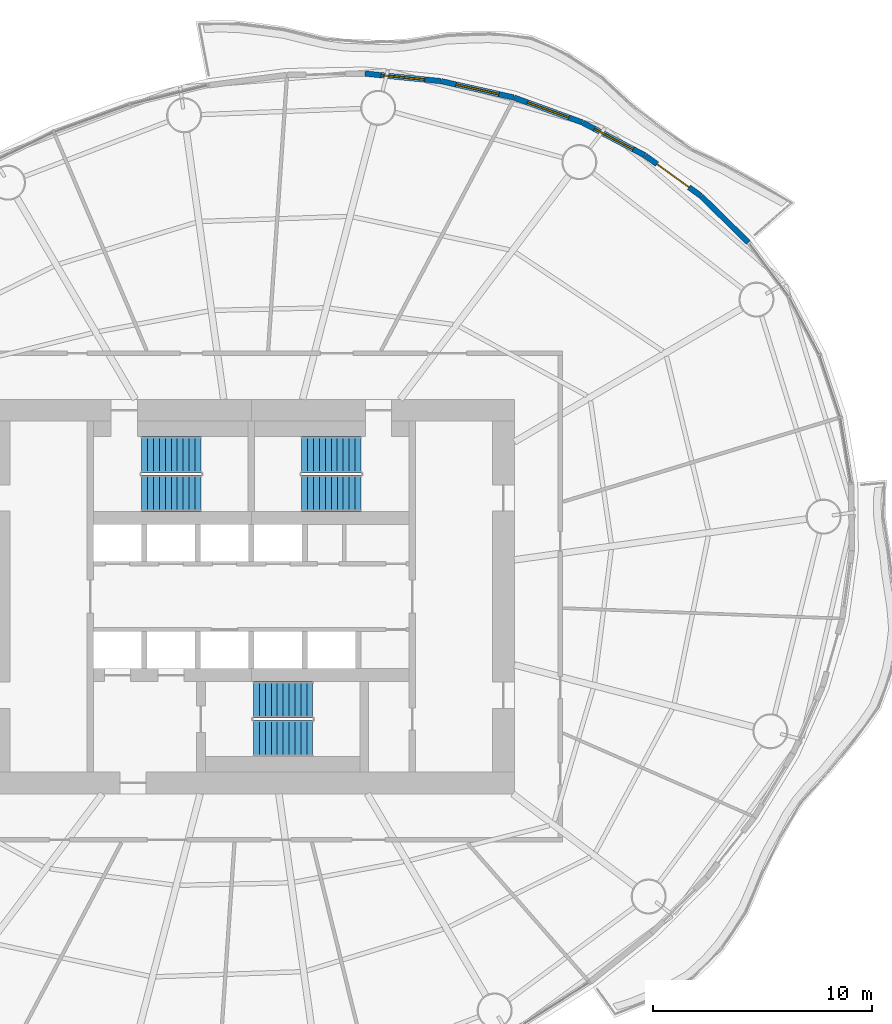
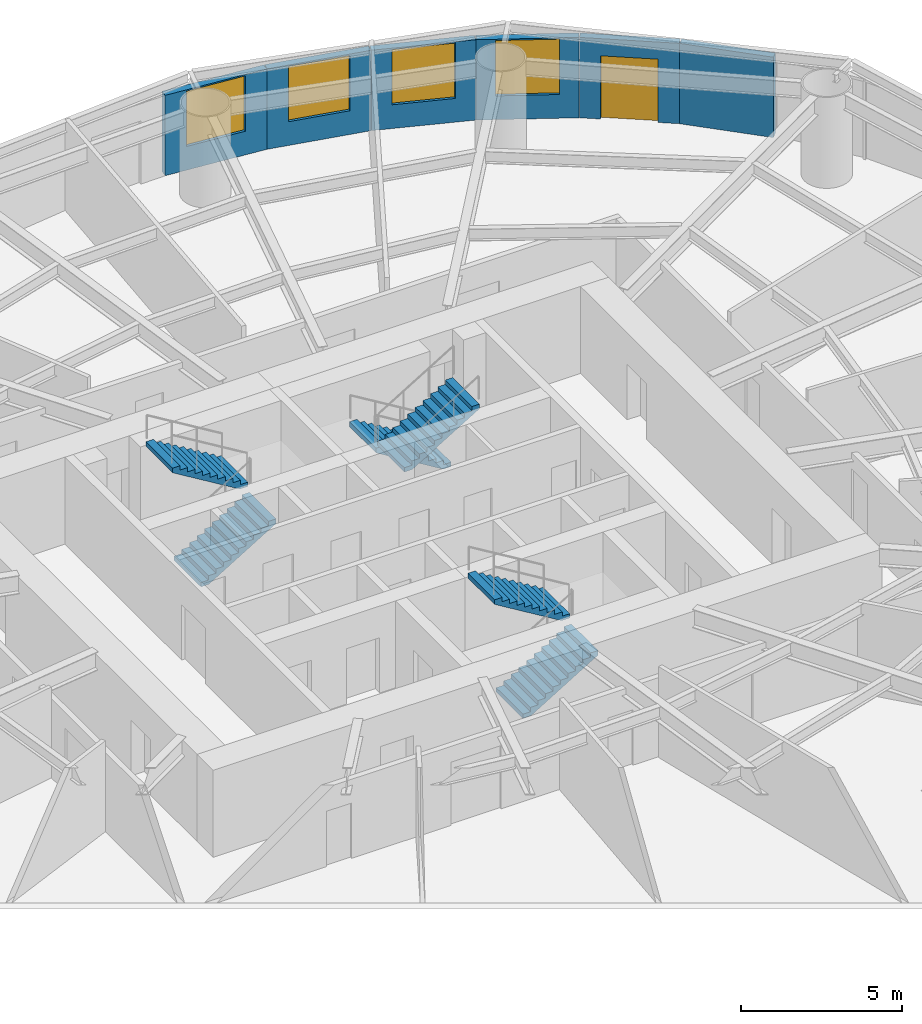
# One storey, part 11 of 14: 6 stair flights, 6 walls, 4 windows, 1 door, 5 openings, 3 elements without a shape of their own.
"""IFC4 building model written with IfcOpenShell, lengths in metres."""

from ifc_helpers import new_model, si_unit, direction, frame, frame_2d, origin, place, context, subcontext, project, spatial, polyline, rectangle, outline, extrude, material, layer, layer_set, type_object, element, fill, aggregate, save


model = new_model("IFC4")

# Units and contexts
model_context = context("Model", 3, precision=1e-05, world=origin(), true_north=direction((0.0, 1.0)))
body_context = subcontext(model_context, "Body", "Model", "MODEL_VIEW")
ifc_project = project(units=[si_unit("LENGTHUNIT", "METRE"), si_unit("AREAUNIT", "SQUARE_METRE"), si_unit("VOLUMEUNIT", "CUBIC_METRE"), si_unit("PLANEANGLEUNIT", "RADIAN"), si_unit("MASSUNIT", "GRAM", prefix="KILO")], contexts=[model_context])

# Site, building, storey
site_placement = place(None, origin())
site = spatial("IfcSite", under=ifc_project, at=site_placement, CompositionType="ELEMENT")
building_placement = place(site_placement, origin())
building = spatial("IfcBuilding", under=site, at=building_placement, Name="Vermilion Reach Broadcast Tower", CompositionType="ELEMENT")
storey_placement = place(building_placement, frame((0.0, 0.0, 124.60009765625)))
storey = spatial("IfcBuildingStorey", under=building, at=storey_placement, Name="L29", CompositionType="ELEMENT", Elevation=124.60009765625)

# Wall
ifc_material_1 = material(Name="Terracotta rainscreen cladding", Category="masonry")
ifc_layer = layer(ifc_material_1, 0.25)
ifc_layer_set = layer_set([ifc_layer], Name="Terracotta rainscreen wall 250")
wall_type = type_object("IfcWallType", Name="Terracotta rainscreen wall 250", PredefinedType="SOLIDWALL", material=ifc_layer_set)
wall_1_placement = place(storey_placement, frame((16.6708984375, 16.1552734375, 0.0), z_axis=(0.0, 0.0, 1.0), x_axis=(-0.713759845589, 0.700390521656, 0.0)))
element("IfcWall", 1, at=wall_1_placement, inside=storey, type_object=wall_type, Name="External wall L29 02", PredefinedType="SOLIDWALL", context=body_context, shape_type="SweptSolid", body=[
    extrude(rectangle(XDim=3.01318359375, YDim=0.25, at=frame_2d((1.506591796875, 0.0))), origin(), (0.0, 0.0, 1.0), 3.0498046875),
])

# Wall, opening, door
wall_2_placement = place(storey_placement, frame((14.5, 18.28271484375, 0.0), z_axis=(0.0, 0.0, 1.0), x_axis=(-0.809860169176, 0.586622967828, 0.0)))
wall_2 = element("IfcWall", 2, at=wall_2_placement, inside=storey, type_object=wall_type, Name="External wall L29 03", PredefinedType="SOLIDWALL", context=body_context, shape_type="SweptSolid", body=[
    extrude(rectangle(XDim=3.12353515625, YDim=0.25, at=frame_2d((1.561767578125, 0.0))), origin(), (0.0, 0.0, 1.0), 3.0498046875),
])
opening_1_placement = place(wall_2_placement, frame((0.662109375, 0.0, 0.0)))
opening_1 = element("IfcOpeningElement", 3, at=opening_1_placement, cuts=wall_2, Name="Opening D70", PredefinedType="OPENING", context=body_context, shape_type="SweptSolid", body=[
    extrude(rectangle(XDim=1.800048828125, YDim=2.39990234375, at=frame_2d((0.89990234375, 1.199951171875))), frame((0.0, 0.135009765625, 0.0), z_axis=(0.0, -1.0, 0.0), x_axis=(1.0, 0.0, 0.0)), (0.0, 0.0, 1.0), 0.27001953125),
])
ifc_material_2 = material(Name="Low-e laminated clear glass in aluminium frame", Category="aluminium")
door_type = type_object("IfcDoorType", Name="Balcony sliding door 1800 x 2400", OperationType="DOUBLE_DOOR_SLIDING", PredefinedType="DOOR", material=ifc_material_2)
door_placement = place(opening_1_placement, origin())
door = element("IfcDoor", 4, at=door_placement, inside=storey, type_object=door_type, Name="Balcony door L29 run 01", OperationType="DOUBLE_DOOR_SLIDING", OverallHeight=2.39990234375, OverallWidth=1.800048828125, PredefinedType="DOOR", context=body_context, shape_type="SweptSolid", body=[
    extrude(rectangle(XDim=1.800048828125, YDim=2.39990234375, at=frame_2d((0.89990234375, 1.199951171875))), frame((0.0, 0.02490234375, 0.0), z_axis=(0.0, -1.0, 0.0), x_axis=(1.0, 0.0, 0.0)), (0.0, 0.0, 1.0), 0.050048828125),
])
fill(opening_1, door)

# Wall, opening, window
wall_3_placement = place(storey_placement, frame((11.948486328125, 20.128662109375, 0.0), z_axis=(0.0, 0.0, 1.0), x_axis=(-0.884863700739, 0.465850009245, 0.0)))
wall_3 = element("IfcWall", 5, at=wall_3_placement, inside=storey, type_object=wall_type, Name="External wall L29 04", PredefinedType="SOLIDWALL", context=body_context, shape_type="SweptSolid", body=[
    extrude(rectangle(XDim=3.205810546875, YDim=0.25, at=frame_2d((1.60302734375, 0.0))), origin(), (0.0, 0.0, 1.0), 3.0498046875),
])
opening_2_placement = place(wall_3_placement, frame((0.60302734375, 0.0, 0.89990234375)))
opening_2 = element("IfcOpeningElement", 6, at=opening_2_placement, cuts=wall_3, Name="Opening W03", PredefinedType="OPENING", context=body_context, shape_type="SweptSolid", body=[
    extrude(rectangle(XDim=2.0, YDim=2.10009765625, at=frame_2d((1.0, 1.050048828125))), frame((0.0, 0.135009765625, 0.0), z_axis=(0.0, -1.0, 0.0), x_axis=(1.0, 0.0, 0.0)), (0.0, 0.0, 1.0), 0.27001953125),
])
ifc_material_3 = material(Name="Low-e laminated clear glass in aluminium frame", Category="aluminium")
window_type = type_object("IfcWindowType", Name="Punched window 2000 x 2100 sill 900", PartitioningType="SINGLE_PANEL", PredefinedType="WINDOW", material=ifc_material_3)
window_1_placement = place(opening_2_placement, origin())
window_1 = element("IfcWindow", 7, at=window_1_placement, inside=storey, type_object=window_type, Name="Window L29 04", OverallHeight=2.10009765625, OverallWidth=2.0, PartitioningType="SINGLE_PANEL", PredefinedType="WINDOW", context=body_context, shape_type="SweptSolid", body=[
    extrude(rectangle(XDim=2.0, YDim=2.10009765625, at=frame_2d((1.0, 1.050048828125))), frame((0.0, 0.030029296875, 0.0), z_axis=(0.0, -1.0, 0.0), x_axis=(1.0, 0.0, 0.0)), (0.0, 0.0, 1.0), 0.06005859375),
])
fill(opening_2, window_1)

wall_4_placement = place(storey_placement, frame((9.089111328125, 21.632080078125, 0.0), z_axis=(0.0, 0.0, 1.0), x_axis=(-0.939579104827, 0.342331864969, 0.0)))
wall_4 = element("IfcWall", 8, at=wall_4_placement, inside=storey, type_object=wall_type, Name="External wall L29 05", PredefinedType="SOLIDWALL", context=body_context, shape_type="SweptSolid", body=[
    extrude(rectangle(XDim=3.295654296875, YDim=0.25, at=frame_2d((1.64794921875, 0.0))), origin(), (0.0, 0.0, 1.0), 3.0498046875),
])
opening_3_placement = place(wall_4_placement, frame((0.647705078125, 0.0, 0.89990234375)))
opening_3 = element("IfcOpeningElement", 9, at=opening_3_placement, cuts=wall_4, Name="Opening W03", PredefinedType="OPENING", context=body_context, shape_type="SweptSolid", body=[
    extrude(rectangle(XDim=2.0, YDim=2.10009765625, at=frame_2d((1.0, 1.050048828125))), frame((0.0, 0.135009765625, 0.0), z_axis=(0.0, -1.0, 0.0), x_axis=(1.0, 0.0, 0.0)), (0.0, 0.0, 1.0), 0.27001953125),
])
window_2_placement = place(opening_3_placement, origin())
window_2 = element("IfcWindow", 10, at=window_2_placement, inside=storey, type_object=window_type, Name="Window L29 05", OverallHeight=2.10009765625, OverallWidth=2.0, PartitioningType="SINGLE_PANEL", PredefinedType="WINDOW", context=body_context, shape_type="SweptSolid", body=[
    extrude(rectangle(XDim=2.0, YDim=2.10009765625, at=frame_2d((1.0, 1.050048828125))), frame((0.0, 0.030029296875, 0.0), z_axis=(0.0, -1.0, 0.0), x_axis=(1.0, 0.0, 0.0)), (0.0, 0.0, 1.0), 0.06005859375),
])
fill(opening_3, window_2)

wall_5_placement = place(storey_placement, frame((5.969482421875, 22.76708984375, 0.0), z_axis=(0.0, 0.0, 1.0), x_axis=(-0.975690768568, 0.219151828949, 0.0)))
wall_5 = element("IfcWall", 11, at=wall_5_placement, inside=storey, type_object=wall_type, Name="External wall L29 06", PredefinedType="SOLIDWALL", context=body_context, shape_type="SweptSolid", body=[
    extrude(rectangle(XDim=3.385498046875, YDim=0.25, at=frame_2d((1.69287109375, 0.0))), origin(), (0.0, 0.0, 1.0), 3.0498046875),
])
opening_4_placement = place(wall_5_placement, frame((0.69287109375, 0.0, 0.89990234375)))
opening_4 = element("IfcOpeningElement", 12, at=opening_4_placement, cuts=wall_5, Name="Opening W03", PredefinedType="OPENING", context=body_context, shape_type="SweptSolid", body=[
    extrude(rectangle(XDim=2.0, YDim=2.10009765625, at=frame_2d((1.0, 1.050048828125))), frame((0.0, 0.135009765625, 0.0), z_axis=(0.0, -1.0, 0.0), x_axis=(1.0, 0.0, 0.0)), (0.0, 0.0, 1.0), 0.27001953125),
])
window_3_placement = place(opening_4_placement, origin())
window_3 = element("IfcWindow", 13, at=window_3_placement, inside=storey, type_object=window_type, Name="Window L29 06", OverallHeight=2.10009765625, OverallWidth=2.0, PartitioningType="SINGLE_PANEL", PredefinedType="WINDOW", context=body_context, shape_type="SweptSolid", body=[
    extrude(rectangle(XDim=2.0, YDim=2.10009765625, at=frame_2d((1.0, 1.050048828125))), frame((0.0, 0.030029296875, 0.0), z_axis=(0.0, -1.0, 0.0), x_axis=(1.0, 0.0, 0.0)), (0.0, 0.0, 1.0), 0.06005859375),
])
fill(opening_4, window_3)

wall_6_placement = place(storey_placement, frame((2.643310546875, 23.5126953125, 0.0), z_axis=(0.0, 0.0, 1.0), x_axis=(-0.995116970578, 0.09870265887, 0.0)))
wall_6 = element("IfcWall", 14, at=wall_6_placement, inside=storey, type_object=wall_type, Name="External wall L29 07", PredefinedType="SOLIDWALL", context=body_context, shape_type="SweptSolid", body=[
    extrude(rectangle(XDim=3.47021484375, YDim=0.25, at=frame_2d((1.735107421875, 0.0))), origin(), (0.0, 0.0, 1.0), 3.0498046875),
])
opening_5_placement = place(wall_6_placement, frame((0.735107421875, 0.0, 0.89990234375)))
opening_5 = element("IfcOpeningElement", 15, at=opening_5_placement, cuts=wall_6, Name="Opening W03", PredefinedType="OPENING", context=body_context, shape_type="SweptSolid", body=[
    extrude(rectangle(XDim=2.0, YDim=2.10009765625, at=frame_2d((1.0, 1.050048828125))), frame((0.0, 0.135009765625, 0.0), z_axis=(0.0, -1.0, 0.0), x_axis=(1.0, 0.0, 0.0)), (0.0, 0.0, 1.0), 0.27001953125),
])
window_4_placement = place(opening_5_placement, origin())
window_4 = element("IfcWindow", 16, at=window_4_placement, inside=storey, type_object=window_type, Name="Window L29 07", OverallHeight=2.10009765625, OverallWidth=2.0, PartitioningType="SINGLE_PANEL", PredefinedType="WINDOW", context=body_context, shape_type="SweptSolid", body=[
    extrude(rectangle(XDim=2.0, YDim=2.10009765625, at=frame_2d((1.0, 1.050048828125))), frame((0.0, 0.030029296875, 0.0), z_axis=(0.0, -1.0, 0.0), x_axis=(1.0, 0.0, 0.0)), (0.0, 0.0, 1.0), 0.06005859375),
])
fill(opening_5, window_4)

# Stair, stair flights
ifc_material_4 = material(Name="Concrete C40", Category="concrete")
stair_type = type_object("IfcStairType", Name="Exit stair RC 22 risers 164 mm", PredefinedType="HALF_TURN_STAIR", material=ifc_material_4)
placement = place(storey_placement, origin())
stair_1 = element("IfcStair", 17, at=placement, inside=storey, type_object=stair_type, Name="L29 Exit stair ST1", PredefinedType="HALF_TURN_STAIR")
ifc_material_5 = material(Name="Concrete C40", Category="concrete")
stair_flight_type = type_object("IfcStairFlightType", Name="Exit stair flight RC 11 risers", PredefinedType="STRAIGHT", material=ifc_material_5)
stair_flight_1_placement = place(storey_placement, frame((-11.0, 4.7099609375, 0.0), z_axis=(0.0, 0.0, 1.0), x_axis=(1.0, 0.0, 0.0)))
stair_flight_1 = element("IfcStairFlight", 18, at=stair_flight_1_placement, type_object=stair_flight_type, Name="ST1 flight 1", NumberOfRisers=11, NumberOfTreads=10, PredefinedType="STRAIGHT", RiserHeight=0.163636364, TreadLength=0.27, context=body_context, shape_type="SweptSolid", body=[
    extrude(outline(polyline([(0.0, 0.0), (0.0, 0.16357421875), (0.27001953125, 0.16357421875), (0.27001953125, 0.327392578125), (0.5400390625, 0.327392578125), (0.5400390625, 0.490966796875), (0.81005859375, 0.490966796875), (0.81005859375, 0.654541015625), (1.080078125, 0.654541015625), (1.080078125, 0.818115234375), (1.35009765625, 0.818115234375), (1.35009765625, 0.98193359375), (1.6201171875, 0.98193359375), (1.6201171875, 1.1455078125), (1.889892578125, 1.1455078125), (1.889892578125, 1.30908203125), (2.159912109375, 1.30908203125), (2.159912109375, 1.47265625), (2.429931640625, 1.47265625), (2.429931640625, 1.636474609375), (2.699951171875, 1.636474609375), (2.699951171875, 1.800048828125), (2.699951171875, 1.461181640625), (0.289306640625, 0.0), (0.0, 0.0)])), frame((0.0, 0.830078125, 0.0), z_axis=(0.0, -1.0, 0.0), x_axis=(1.0, 0.0, 0.0)), (0.0, 0.0, 1.0), 1.659912109375),
])
stair_flight_2_placement = place(storey_placement, frame((-8.300048828125, 6.469970703125, 1.7998046875), z_axis=(0.0, 0.0, 1.0), x_axis=(-1.0, 0.0, 0.0)))
stair_flight_2 = element("IfcStairFlight", 19, at=stair_flight_2_placement, type_object=stair_flight_type, Name="ST1 flight 2", NumberOfRisers=11, NumberOfTreads=10, PredefinedType="STRAIGHT", RiserHeight=0.163636364, TreadLength=0.27, context=body_context, shape_type="SweptSolid", body=[
    extrude(outline(polyline([(0.0, 0.0), (0.0, 0.16357421875), (0.27001953125, 0.16357421875), (0.27001953125, 0.327392578125), (0.5400390625, 0.327392578125), (0.5400390625, 0.490966796875), (0.81005859375, 0.490966796875), (0.81005859375, 0.654541015625), (1.080078125, 0.654541015625), (1.080078125, 0.818115234375), (1.35009765625, 0.818115234375), (1.35009765625, 0.98193359375), (1.6201171875, 0.98193359375), (1.6201171875, 1.1455078125), (1.889892578125, 1.1455078125), (1.889892578125, 1.30908203125), (2.159912109375, 1.30908203125), (2.159912109375, 1.47265625), (2.429931640625, 1.47265625), (2.429931640625, 1.636474609375), (2.699951171875, 1.636474609375), (2.699951171875, 1.800048828125), (2.699951171875, 1.461181640625), (0.289306640625, 0.0), (0.0, 0.0)])), frame((0.0, 0.830078125, 0.0), z_axis=(0.0, -1.0, 0.0), x_axis=(1.0, 0.0, 0.0)), (0.0, 0.0, 1.0), 1.659912109375),
])
aggregate(stair_1, [stair_flight_1, stair_flight_2])

stair_2 = element("IfcStair", 20, at=placement, inside=storey, type_object=stair_type, Name="L29 Exit stair ST2", PredefinedType="HALF_TURN_STAIR")
stair_flight_3_placement = place(storey_placement, frame((-1.0, 6.469970703125, 0.0), z_axis=(0.0, 0.0, 1.0), x_axis=(-1.0, 0.0, 0.0)))
stair_flight_3 = element("IfcStairFlight", 21, at=stair_flight_3_placement, type_object=stair_flight_type, Name="ST2 flight 1", NumberOfRisers=11, NumberOfTreads=10, PredefinedType="STRAIGHT", RiserHeight=0.163636364, TreadLength=0.27, context=body_context, shape_type="SweptSolid", body=[
    extrude(outline(polyline([(0.0, 0.0), (0.0, 0.16357421875), (0.27001953125, 0.16357421875), (0.27001953125, 0.327392578125), (0.5400390625, 0.327392578125), (0.5400390625, 0.490966796875), (0.81005859375, 0.490966796875), (0.81005859375, 0.654541015625), (1.080078125, 0.654541015625), (1.080078125, 0.818115234375), (1.35009765625, 0.818115234375), (1.35009765625, 0.98193359375), (1.6201171875, 0.98193359375), (1.6201171875, 1.1455078125), (1.889892578125, 1.1455078125), (1.889892578125, 1.30908203125), (2.159912109375, 1.30908203125), (2.159912109375, 1.47265625), (2.429931640625, 1.47265625), (2.429931640625, 1.636474609375), (2.699951171875, 1.636474609375), (2.699951171875, 1.800048828125), (2.699951171875, 1.461181640625), (0.289306640625, 0.0), (0.0, 0.0)])), frame((0.0, 0.830078125, 0.0), z_axis=(0.0, -1.0, 0.0), x_axis=(1.0, 0.0, 0.0)), (0.0, 0.0, 1.0), 1.659912109375),
])
stair_flight_4_placement = place(storey_placement, frame((-3.699951171875, 4.7099609375, 1.7998046875), z_axis=(0.0, 0.0, 1.0), x_axis=(1.0, 0.0, 0.0)))
stair_flight_4 = element("IfcStairFlight", 22, at=stair_flight_4_placement, type_object=stair_flight_type, Name="ST2 flight 2", NumberOfRisers=11, NumberOfTreads=10, PredefinedType="STRAIGHT", RiserHeight=0.163636364, TreadLength=0.27, context=body_context, shape_type="SweptSolid", body=[
    extrude(outline(polyline([(0.0, 0.0), (0.0, 0.16357421875), (0.27001953125, 0.16357421875), (0.27001953125, 0.327392578125), (0.5400390625, 0.327392578125), (0.5400390625, 0.490966796875), (0.81005859375, 0.490966796875), (0.81005859375, 0.654541015625), (1.080078125, 0.654541015625), (1.080078125, 0.818115234375), (1.35009765625, 0.818115234375), (1.35009765625, 0.98193359375), (1.6201171875, 0.98193359375), (1.6201171875, 1.1455078125), (1.889892578125, 1.1455078125), (1.889892578125, 1.30908203125), (2.159912109375, 1.30908203125), (2.159912109375, 1.47265625), (2.429931640625, 1.47265625), (2.429931640625, 1.636474609375), (2.699951171875, 1.636474609375), (2.699951171875, 1.800048828125), (2.699951171875, 1.461181640625), (0.289306640625, 0.0), (0.0, 0.0)])), frame((0.0, 0.830078125, 0.0), z_axis=(0.0, -1.0, 0.0), x_axis=(1.0, 0.0, 0.0)), (0.0, 0.0, 1.0), 1.659912109375),
])
aggregate(stair_2, [stair_flight_3, stair_flight_4])

stair_3 = element("IfcStair", 23, at=placement, inside=storey, type_object=stair_type, Name="L29 Exit stair ST3", PredefinedType="HALF_TURN_STAIR")
stair_flight_5_placement = place(storey_placement, frame((-5.89990234375, -6.469970703125, 0.0), z_axis=(0.0, 0.0, 1.0), x_axis=(1.0, 0.0, 0.0)))
stair_flight_5 = element("IfcStairFlight", 24, at=stair_flight_5_placement, type_object=stair_flight_type, Name="ST3 flight 1", NumberOfRisers=11, NumberOfTreads=10, PredefinedType="STRAIGHT", RiserHeight=0.163636364, TreadLength=0.27, context=body_context, shape_type="SweptSolid", body=[
    extrude(outline(polyline([(0.0, 0.0), (0.0, 0.16357421875), (0.27001953125, 0.16357421875), (0.27001953125, 0.327392578125), (0.5400390625, 0.327392578125), (0.5400390625, 0.490966796875), (0.81005859375, 0.490966796875), (0.81005859375, 0.654541015625), (1.080078125, 0.654541015625), (1.080078125, 0.818115234375), (1.35009765625, 0.818115234375), (1.35009765625, 0.98193359375), (1.6201171875, 0.98193359375), (1.6201171875, 1.1455078125), (1.889892578125, 1.1455078125), (1.889892578125, 1.30908203125), (2.159912109375, 1.30908203125), (2.159912109375, 1.47265625), (2.429931640625, 1.47265625), (2.429931640625, 1.636474609375), (2.699951171875, 1.636474609375), (2.699951171875, 1.800048828125), (2.699951171875, 1.461181640625), (0.289306640625, 0.0), (0.0, 0.0)])), frame((0.0, 0.830078125, 0.0), z_axis=(0.0, -1.0, 0.0), x_axis=(1.0, 0.0, 0.0)), (0.0, 0.0, 1.0), 1.659912109375),
])
stair_flight_6_placement = place(storey_placement, frame((-3.199951171875, -4.7099609375, 1.7998046875), z_axis=(0.0, 0.0, 1.0), x_axis=(-1.0, 0.0, 0.0)))
stair_flight_6 = element("IfcStairFlight", 25, at=stair_flight_6_placement, type_object=stair_flight_type, Name="ST3 flight 2", NumberOfRisers=11, NumberOfTreads=10, PredefinedType="STRAIGHT", RiserHeight=0.163636364, TreadLength=0.27, context=body_context, shape_type="SweptSolid", body=[
    extrude(outline(polyline([(0.0, 0.0), (0.0, 0.16357421875), (0.27001953125, 0.16357421875), (0.27001953125, 0.327392578125), (0.5400390625, 0.327392578125), (0.5400390625, 0.490966796875), (0.81005859375, 0.490966796875), (0.81005859375, 0.654541015625), (1.080078125, 0.654541015625), (1.080078125, 0.818115234375), (1.35009765625, 0.818115234375), (1.35009765625, 0.98193359375), (1.6201171875, 0.98193359375), (1.6201171875, 1.1455078125), (1.889892578125, 1.1455078125), (1.889892578125, 1.30908203125), (2.159912109375, 1.30908203125), (2.159912109375, 1.47265625), (2.429931640625, 1.47265625), (2.429931640625, 1.636474609375), (2.699951171875, 1.636474609375), (2.699951171875, 1.800048828125), (2.699951171875, 1.461181640625), (0.289306640625, 0.0), (0.0, 0.0)])), frame((0.0, 0.830078125, 0.0), z_axis=(0.0, -1.0, 0.0), x_axis=(1.0, 0.0, 0.0)), (0.0, 0.0, 1.0), 1.659912109375),
])
aggregate(stair_3, [stair_flight_5, stair_flight_6])

save(model, "model.ifc")
